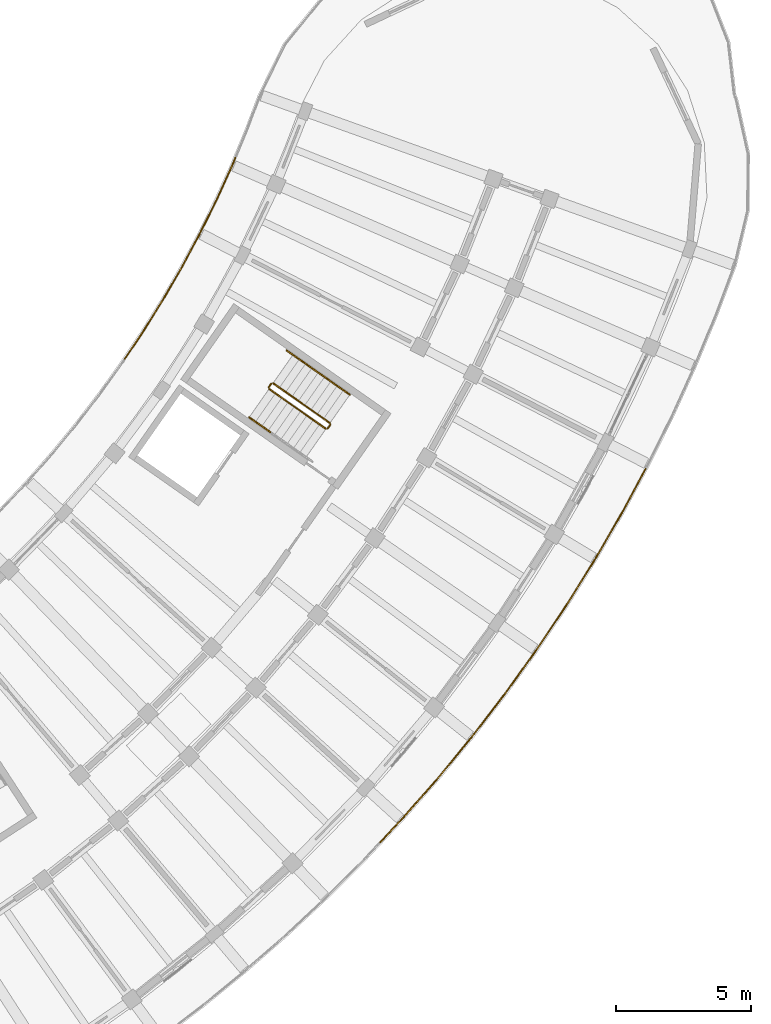
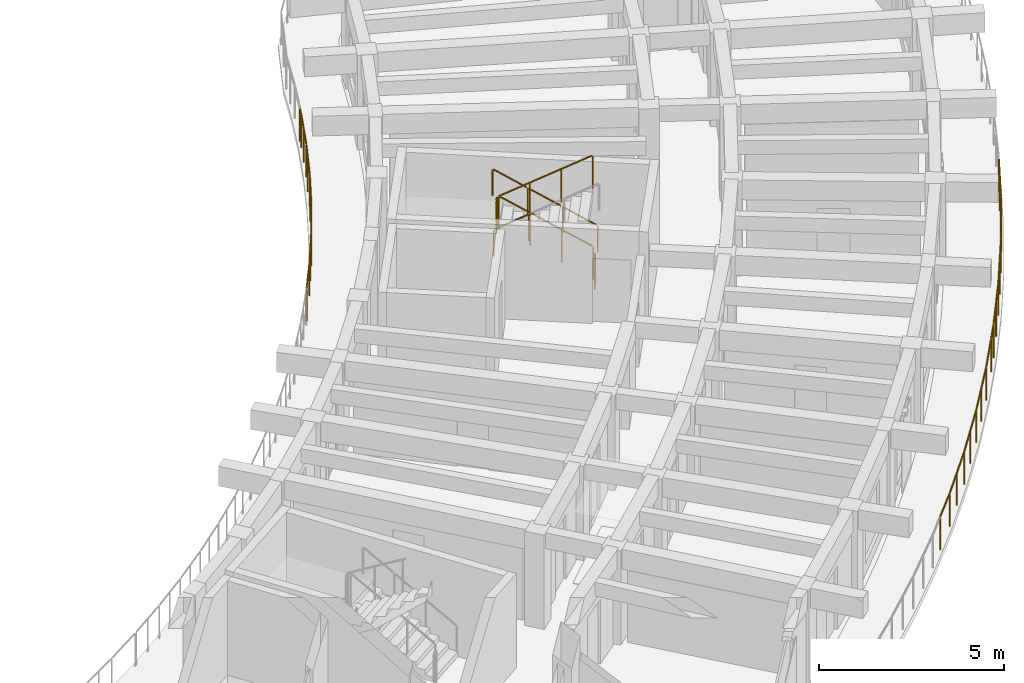
# One storey, part 76 of 81: 11 railings.
"""IFC4 building model written with IfcOpenShell, lengths in metres."""

from ifc_helpers import new_model, si_unit, direction, frame, origin, origin_2d, place, context, subcontext, project, spatial, circle, extrude, material, type_object, element, save


model = new_model("IFC4")

# Units and contexts
model_context = context("Model", 3, precision=1e-05, world=origin(), true_north=direction((0.0, 1.0)))
body_context = subcontext(model_context, "Body", "Model", "MODEL_VIEW")
ifc_project = project(units=[si_unit("LENGTHUNIT", "METRE"), si_unit("AREAUNIT", "SQUARE_METRE"), si_unit("VOLUMEUNIT", "CUBIC_METRE"), si_unit("PLANEANGLEUNIT", "RADIAN"), si_unit("MASSUNIT", "GRAM", prefix="KILO")], contexts=[model_context])

# Site, building, storey
site_placement = place(None, origin())
site = spatial("IfcSite", under=ifc_project, at=site_placement, CompositionType="ELEMENT")
building_placement = place(site_placement, origin())
building = spatial("IfcBuilding", under=site, at=building_placement, Name="Tanwirah Colonnade Gardens", CompositionType="ELEMENT")
storey_placement = place(building_placement, frame((0.0, 0.0, 18.919921875)))
storey = spatial("IfcBuildingStorey", under=building, at=storey_placement, Name="L05", CompositionType="ELEMENT", Elevation=18.919921875)

# Railings
ifc_material_1 = material(Name="Precast concrete C40/50", Category="concrete")
railing_type_1 = type_object("IfcRailingType", Name="BAL-EXT110", PredefinedType="BALUSTRADE", material=ifc_material_1)
railing_1_placement = place(storey_placement, frame((156.168701171875, 40.32275390625, 0.0)))
element("IfcRailing", 1, at=railing_1_placement, inside=storey, type_object=railing_type_1, Name="Block D L05 Balcony Ribbon Balustrade 5", PredefinedType="BALUSTRADE", context=body_context, shape_type="SweptSolid", body=[
    extrude(circle(Radius=0.02392578125, at=origin_2d()), frame((0.017333984375, 0.02587890625, 1.076171875), z_axis=(0.556461863915, 0.830873151575, 0.0), x_axis=(-0.830873151575, 0.556461863915, 0.0)), (0.0, 0.0, 1.0), 1.15185546875),
    extrude(circle(Radius=0.02392578125, at=origin_2d()), frame((0.693603515625, 1.037841796875, 1.076171875), z_axis=(0.529022666758, 0.848607693847, 0.0), x_axis=(-0.848607693847, 0.529022666758, 0.0)), (0.0, 0.0, 1.0), 1.33154296875),
    extrude(circle(Radius=0.02392578125, at=origin_2d()), frame((1.431396484375, 2.2236328125, 1.076171875), z_axis=(0.501015561301, 0.865438274711, 0.0), x_axis=(-0.865438274711, 0.501015561301, 0.0)), (0.0, 0.0, 1.0), 1.33154296875),
    extrude(circle(Radius=0.02392578125, at=origin_2d()), frame((2.130126953125, 3.432861328125, 1.076171875), z_axis=(0.472323466806, 0.881425290484, 0.0), x_axis=(-0.881425290484, 0.472323466806, 0.0)), (0.0, 0.0, 1.0), 1.33154296875),
    extrude(circle(Radius=0.02392578125, at=origin_2d()), frame((2.7890625, 4.66455078125, 1.076171875), z_axis=(0.443286097627, 0.896380184771, 0.0), x_axis=(-0.896380184771, 0.443286097627, 0.0)), (0.0, 0.0, 1.0), 1.33154296875),
    extrude(circle(Radius=0.02392578125, at=origin_2d()), frame((3.4072265625, 5.9169921875, 1.076171875), z_axis=(0.413697373423, 0.91041445684, 0.0), x_axis=(-0.91041445684, 0.413697373423, 0.0)), (0.0, 0.0, 1.0), 1.331298828125),
    extrude(circle(Radius=0.02392578125, at=origin_2d()), frame((3.98388671875, 7.188720703125, 1.076171875), z_axis=(0.383574272211, 0.923510031184, 0.0), x_axis=(-0.923510031184, 0.383574272211, 0.0)), (0.0, 0.0, 1.0), 0.2373046875),
    extrude(circle(Radius=0.02099609375, at=origin_2d()), origin(), (0.0, 0.0, 1.0), 1.049072265625),
    extrude(circle(Radius=0.02099609375, at=origin_2d()), frame((0.67578125, 1.009033203125, 0.0)), (0.0, 0.0, 1.0), 1.049072265625),
    extrude(circle(Radius=0.02099609375, at=origin_2d()), frame((1.0458984375, 1.602783203125, 0.0)), (0.0, 0.0, 1.0), 1.049072265625),
    extrude(circle(Radius=0.02099609375, at=origin_2d()), frame((1.41455078125, 2.1943359375, 0.0)), (0.0, 0.0, 1.0), 1.049072265625),
    extrude(circle(Radius=0.02099609375, at=origin_2d()), frame((1.76513671875, 2.7998046875, 0.0)), (0.0, 0.0, 1.0), 1.049072265625),
    extrude(circle(Radius=0.02099609375, at=origin_2d()), frame((2.1142578125, 3.403076171875, 0.0)), (0.0, 0.0, 1.0), 1.049072265625),
    extrude(circle(Radius=0.02099609375, at=origin_2d()), frame((2.44482421875, 4.01953125, 0.0)), (0.0, 0.0, 1.0), 1.049072265625),
    extrude(circle(Radius=0.02099609375, at=origin_2d()), frame((2.77392578125, 4.634033203125, 0.0)), (0.0, 0.0, 1.0), 1.049072265625),
    extrude(circle(Radius=0.02099609375, at=origin_2d()), frame((3.083984375, 5.26123046875, 0.0)), (0.0, 0.0, 1.0), 1.049072265625),
    extrude(circle(Radius=0.02099609375, at=origin_2d()), frame((3.39306640625, 5.885986328125, 0.0)), (0.0, 0.0, 1.0), 1.049072265625),
    extrude(circle(Radius=0.02099609375, at=origin_2d()), frame((3.6826171875, 6.52294921875, 0.0)), (0.0, 0.0, 1.0), 1.049072265625),
    extrude(circle(Radius=0.02099609375, at=origin_2d()), frame((3.970947265625, 7.157470703125, 0.0)), (0.0, 0.0, 1.0), 1.049072265625),
    extrude(circle(Radius=0.02099609375, at=origin_2d()), frame((4.0869140625, 7.436767578125, 0.0)), (0.0, 0.0, 1.0), 1.049072265625),
])
railing_2_placement = place(storey_placement, frame((175.42431640625, 36.2548828125, 0.0)))
element("IfcRailing", 2, at=railing_2_placement, inside=storey, type_object=railing_type_1, Name="Block D L05 Balcony Ribbon Balustrade 11", PredefinedType="BALUSTRADE", context=body_context, shape_type="SweptSolid", body=[
    extrude(circle(Radius=0.02392578125, at=origin_2d()), frame((-0.0146484375, -0.027587890625, 1.076171875), z_axis=(-0.472366929472, -0.881401999057, 0.0), x_axis=(0.881401999057, -0.472366929472, 0.0)), (0.0, 0.0, 1.0), 1.753173828125),
    extrude(circle(Radius=0.02392578125, at=origin_2d()), frame((-0.873291015625, -1.62744140625, 1.076171875), z_axis=(-0.500940340279, -0.865481816956, 0.0), x_axis=(0.865481816956, -0.500940340279, 0.0)), (0.0, 0.0, 1.0), 1.94384765625),
    extrude(circle(Radius=0.02392578125, at=origin_2d()), frame((-1.87939453125, -3.363525390625, 1.076171875), z_axis=(-0.529003375217, -0.848619719903, 0.0), x_axis=(0.848619719903, -0.529003375217, 0.0)), (0.0, 0.0, 1.0), 1.944091796875),
    extrude(circle(Radius=0.02392578125, at=origin_2d()), frame((-2.941650390625, -5.065673828125, 1.076171875), z_axis=(-0.556495801451, -0.830850421537, 0.0), x_axis=(0.830850421537, -0.556495801451, 0.0)), (0.0, 0.0, 1.0), 1.944091796875),
    extrude(circle(Radius=0.02392578125, at=origin_2d()), frame((-4.059326171875, -6.732421875, 1.076171875), z_axis=(-0.583113526611, -0.812390678851, 0.0), x_axis=(0.812390678851, -0.583113526611, 0.0)), (0.0, 0.0, 1.0), 0.601806640625),
    extrude(circle(Radius=0.02099609375, at=origin_2d()), origin(), (0.0, 0.0, 1.0), 1.049072265625),
    extrude(circle(Radius=0.02099609375, at=origin_2d()), frame((-0.4287109375, -0.80029296875, 0.0)), (0.0, 0.0, 1.0), 1.049072265625),
    extrude(circle(Radius=0.02099609375, at=origin_2d()), frame((-0.857666015625, -1.600341796875, 0.0)), (0.0, 0.0, 1.0), 1.049072265625),
    extrude(circle(Radius=0.02099609375, at=origin_2d()), frame((-1.3603515625, -2.46875, 0.0)), (0.0, 0.0, 1.0), 1.049072265625),
    extrude(circle(Radius=0.02099609375, at=origin_2d()), frame((-1.86279296875, -3.3369140625, 0.0)), (0.0, 0.0, 1.0), 1.049072265625),
    extrude(circle(Radius=0.02099609375, at=origin_2d()), frame((-2.3935546875, -4.1884765625, 0.0)), (0.0, 0.0, 1.0), 1.049072265625),
    extrude(circle(Radius=0.02099609375, at=origin_2d()), frame((-2.92431640625, -5.039794921875, 0.0)), (0.0, 0.0, 1.0), 1.049072265625),
    extrude(circle(Radius=0.02099609375, at=origin_2d()), frame((-3.482666015625, -5.87353515625, 0.0)), (0.0, 0.0, 1.0), 1.049072265625),
    extrude(circle(Radius=0.02099609375, at=origin_2d()), frame((-4.041015625, -6.70703125, 0.0)), (0.0, 0.0, 1.0), 1.049072265625),
    extrude(circle(Radius=0.02099609375, at=origin_2d()), frame((-4.428466796875, -7.246826171875, 0.0)), (0.0, 0.0, 1.0), 1.049072265625),
])
railing_3_placement = place(storey_placement, frame((170.995849609375, 29.008056640625, 0.0)))
element("IfcRailing", 3, at=railing_3_placement, inside=storey, type_object=railing_type_1, Name="Block D L05 Balcony Ribbon Balustrade 12", PredefinedType="BALUSTRADE", context=body_context, shape_type="SweptSolid", body=[
    extrude(circle(Radius=0.02392578125, at=origin_2d()), frame((-0.018310546875, -0.025390625, 1.076171875), z_axis=(-0.583369894107, -0.812206603426, 0.0), x_axis=(0.812206603426, -0.583369894107, 0.0)), (0.0, 0.0, 1.0), 1.279541015625),
    extrude(circle(Radius=0.02392578125, at=origin_2d()), frame((-0.802001953125, -1.11474609375, 1.076171875), z_axis=(-0.609669601555, -0.7926556484, 0.0), x_axis=(0.7926556484, -0.609669601555, 0.0)), (0.0, 0.0, 1.0), 1.944091796875),
    extrude(circle(Radius=0.02392578125, at=origin_2d()), frame((-2.026123046875, -2.704833984375, 1.076171875), z_axis=(-0.635216698846, -0.77233395983, 0.0), x_axis=(0.77233395983, -0.635216698846, 0.0)), (0.0, 0.0, 1.0), 1.944091796875),
    extrude(circle(Radius=0.02392578125, at=origin_2d()), frame((-3.3017578125, -4.25390625, 1.076171875), z_axis=(-0.660199900943, -0.751089935224, 0.0), x_axis=(0.751089935224, -0.660199900943, 0.0)), (0.0, 0.0, 1.0), 1.944091796875),
    extrude(circle(Radius=0.02392578125, at=origin_2d()), frame((-4.627197265625, -5.76025390625, 1.076171875), z_axis=(-0.684333507365, -0.729169150951, 0.0), x_axis=(0.729169150951, -0.684333507365, 0.0)), (0.0, 0.0, 1.0), 1.075439453125),
    extrude(circle(Radius=0.02099609375, at=origin_2d()), origin(), (0.0, 0.0, 1.0), 1.049072265625),
    extrude(circle(Radius=0.02099609375, at=origin_2d()), frame((-0.782958984375, -1.090087890625, 0.0)), (0.0, 0.0, 1.0), 1.049072265625),
    extrude(circle(Radius=0.02099609375, at=origin_2d()), frame((-1.39453125, -1.88525390625, 0.0)), (0.0, 0.0, 1.0), 1.049072265625),
    extrude(circle(Radius=0.02099609375, at=origin_2d()), frame((-2.00634765625, -2.6806640625, 0.0)), (0.0, 0.0, 1.0), 1.049072265625),
    extrude(circle(Radius=0.02099609375, at=origin_2d()), frame((-2.6435546875, -3.45556640625, 0.0)), (0.0, 0.0, 1.0), 1.049072265625),
    extrude(circle(Radius=0.02099609375, at=origin_2d()), frame((-3.281005859375, -4.23046875, 0.0)), (0.0, 0.0, 1.0), 1.049072265625),
    extrude(circle(Radius=0.02099609375, at=origin_2d()), frame((-3.943359375, -4.98388671875, 0.0)), (0.0, 0.0, 1.0), 1.049072265625),
    extrude(circle(Radius=0.02099609375, at=origin_2d()), frame((-4.605712890625, -5.737548828125, 0.0)), (0.0, 0.0, 1.0), 1.049072265625),
    extrude(circle(Radius=0.02099609375, at=origin_2d()), frame((-5.384521484375, -6.5673828125, 0.0)), (0.0, 0.0, 1.0), 1.049072265625),
])
ifc_material_2 = material(Name="Powder-coated galvanized steel", Category="steel")
railing_type_2 = type_object("IfcRailingType", Name="GRD-ST110", PredefinedType="GUARDRAIL", material=ifc_material_2)
railing_4_placement = place(storey_placement, frame((163.751220703125, 37.94677734375, 0.16796875)))
element("IfcRailing", 4, at=railing_4_placement, inside=storey, type_object=railing_type_2, Name="L05 ST-D2 stair guard 1", PredefinedType="GUARDRAIL", context=body_context, shape_type="SweptSolid", body=[
    extrude(circle(Radius=0.02392578125, at=origin_2d()), frame((-0.02197265625, 0.015380859375, 1.092041015625), z_axis=(-0.70564325276, 0.494097866736, 0.507872915128), x_axis=(-0.573577325805, -0.819151421486, 0.0)), (0.0, 0.0, 1.0), 2.9150390625),
    extrude(circle(Radius=0.02099609375, at=origin_2d()), origin(), (0.0, 0.0, 1.0), 1.049072265625),
    extrude(circle(Radius=0.02099609375, at=origin_2d()), frame((-0.700439453125, 0.490478515625, 0.504150390625)), (0.0, 0.0, 1.0), 1.049072265625),
    extrude(circle(Radius=0.02099609375, at=origin_2d()), frame((-1.400634765625, 0.980712890625, 1.008056640625)), (0.0, 0.0, 1.0), 1.049072265625),
    extrude(circle(Radius=0.02099609375, at=origin_2d()), frame((-2.10107421875, 1.47119140625, 1.51220703125)), (0.0, 0.0, 1.0), 1.049072265625),
])
railing_5_placement = place(storey_placement, frame((161.580322265625, 39.40576171875, 1.68017578125)))
element("IfcRailing", 5, at=railing_5_placement, inside=storey, type_object=railing_type_2, Name="L05 ST-D2 stair guard 2", PredefinedType="GUARDRAIL", context=body_context, shape_type="SweptSolid", body=[
    extrude(circle(Radius=0.02392578125, at=origin_2d()), frame((-0.017822265625, -0.025634765625, 1.076171875), z_axis=(-0.572539769307, -0.819876949647, 0.0), x_axis=(0.819876949647, -0.572539769307, 0.0)), (0.0, 0.0, 1.0), 0.097412109375),
    extrude(circle(Radius=0.02099609375, at=origin_2d()), origin(), (0.0, 0.0, 1.0), 1.049072265625),
    extrude(circle(Radius=0.02099609375, at=origin_2d()), frame((-0.091552734375, -0.131103515625, 0.0)), (0.0, 0.0, 1.0), 1.049072265625),
])
railing_6_placement = place(storey_placement, frame((161.5009765625, 39.205078125, 1.84814453125)))
element("IfcRailing", 6, at=railing_6_placement, inside=storey, type_object=railing_type_2, Name="L05 ST-D2 stair guard 3", PredefinedType="GUARDRAIL", context=body_context, shape_type="SweptSolid", body=[
    extrude(circle(Radius=0.02392578125, at=origin_2d()), frame((0.02197265625, -0.015380859375, 1.092041015625), z_axis=(0.705672637115, -0.494118441931, 0.507812066193), x_axis=(0.573577325805, 0.819151421486, 0.0)), (0.0, 0.0, 1.0), 2.914794921875),
    extrude(circle(Radius=0.02099609375, at=origin_2d()), origin(), (0.0, 0.0, 1.0), 1.049072265625),
    extrude(circle(Radius=0.02099609375, at=origin_2d()), frame((0.700439453125, -0.490478515625, 0.50390625)), (0.0, 0.0, 1.0), 1.049072265625),
    extrude(circle(Radius=0.02099609375, at=origin_2d()), frame((1.400634765625, -0.980712890625, 1.008056640625)), (0.0, 0.0, 1.0), 1.049072265625),
    extrude(circle(Radius=0.02099609375, at=origin_2d()), frame((2.10107421875, -1.47119140625, 1.511962890625)), (0.0, 0.0, 1.0), 1.049072265625),
])
railing_7_placement = place(storey_placement, frame((163.763427734375, 37.877197265625, 0.0)))
element("IfcRailing", 7, at=railing_7_placement, inside=storey, type_object=railing_type_2, Name="L05 ST-D2 stair guard 4", PredefinedType="GUARDRAIL", context=body_context, shape_type="SweptSolid", body=[
    extrude(circle(Radius=0.02392578125, at=origin_2d()), frame((-0.017822265625, -0.025634765625, 1.076171875), z_axis=(-0.57356471828, -0.819160249246, 0.0), x_axis=(0.819160249246, -0.57356471828, 0.0)), (0.0, 0.0, 1.0), 0.097412109375),
    extrude(circle(Radius=0.02099609375, at=origin_2d()), origin(), (0.0, 0.0, 1.0), 1.049072265625),
    extrude(circle(Radius=0.02099609375, at=origin_2d()), frame((-0.091796875, -0.131103515625, 0.0)), (0.0, 0.0, 1.0), 1.049072265625),
])
ifc_material_3 = material(Name="Brushed bronze stainless steel", Category="steel")
railing_type_3 = type_object("IfcRailingType", Name="HR-ST090", PredefinedType="HANDRAIL", material=ifc_material_3)
railing_8_placement = place(storey_placement, frame((164.4853515625, 38.995361328125, 0.16796875)))
element("IfcRailing", 8, at=railing_8_placement, inside=storey, type_object=railing_type_3, Name="L05 ST-D2 stair handrail 1", PredefinedType="HANDRAIL", context=body_context, shape_type="SweptSolid", body=[
    extrude(circle(Radius=0.02392578125, at=origin_2d()), frame((-0.02197265625, 0.015380859375, 0.891845703125), z_axis=(-0.703606519106, 0.492767414699, 0.511974746723), x_axis=(-0.57365206981, -0.819099079967, 0.0)), (0.0, 0.0, 1.0), 1.043212890625),
    extrude(circle(Radius=0.02099609375, at=origin_2d()), origin(), (0.0, 0.0, 1.0), 0.848876953125),
    extrude(circle(Radius=0.02099609375, at=origin_2d()), frame((-0.778076171875, 0.544921875, 0.566162109375)), (0.0, 0.0, 1.0), 0.848876953125),
])
railing_9_placement = place(storey_placement, frame((163.707275390625, 39.540283203125, 0.734130859375)))
element("IfcRailing", 9, at=railing_9_placement, inside=storey, type_object=railing_type_3, Name="L05 ST-D2 stair handrail 2", PredefinedType="HANDRAIL", context=body_context, shape_type="SweptSolid", body=[
    extrude(circle(Radius=0.02392578125, at=origin_2d()), frame((-0.02197265625, 0.015380859375, 0.891845703125), z_axis=(-0.703797483594, 0.492746544348, 0.511732298297), x_axis=(-0.573531324472, -0.819183630115, 0.0)), (0.0, 0.0, 1.0), 1.04345703125),
    extrude(circle(Radius=0.02099609375, at=origin_2d()), origin(), (0.0, 0.0, 1.0), 0.848876953125),
    extrude(circle(Radius=0.02099609375, at=origin_2d()), frame((-0.7783203125, 0.544921875, 0.56591796875)), (0.0, 0.0, 1.0), 0.848876953125),
])
railing_10_placement = place(storey_placement, frame((162.928955078125, 40.085205078125, 1.300048828125)))
element("IfcRailing", 10, at=railing_10_placement, inside=storey, type_object=railing_type_3, Name="L05 ST-D2 stair handrail 3", PredefinedType="HANDRAIL", context=body_context, shape_type="SweptSolid", body=[
    extrude(circle(Radius=0.02392578125, at=origin_2d()), frame((-0.02197265625, 0.015380859375, 0.891845703125), z_axis=(-0.703686044561, 0.492823109966, 0.511811814023), x_axis=(-0.57365206981, -0.819099079967, 0.0)), (0.0, 0.0, 1.0), 1.043212890625),
    extrude(circle(Radius=0.02099609375, at=origin_2d()), origin(), (0.0, 0.0, 1.0), 0.848876953125),
    extrude(circle(Radius=0.02099609375, at=origin_2d()), frame((-0.778076171875, 0.544921875, 0.56591796875)), (0.0, 0.0, 1.0), 0.848876953125),
])
railing_11_placement = place(storey_placement, frame((160.766845703125, 38.156494140625, 1.84814453125)))
element("IfcRailing", 11, at=railing_11_placement, inside=storey, type_object=railing_type_3, Name="L05 ST-D2 stair handrail 4", PredefinedType="HANDRAIL", context=body_context, shape_type="SweptSolid", body=[
    extrude(circle(Radius=0.02392578125, at=origin_2d()), frame((0.02197265625, -0.015380859375, 0.891845703125), z_axis=(0.703686044561, -0.492823109966, 0.511811814023), x_axis=(0.57365206981, 0.819099079967, 0.0)), (0.0, 0.0, 1.0), 1.043212890625),
    extrude(circle(Radius=0.02099609375, at=origin_2d()), origin(), (0.0, 0.0, 1.0), 0.848876953125),
    extrude(circle(Radius=0.02099609375, at=origin_2d()), frame((0.778076171875, -0.544921875, 0.56591796875)), (0.0, 0.0, 1.0), 0.848876953125),
])

save(model, "model.ifc")
